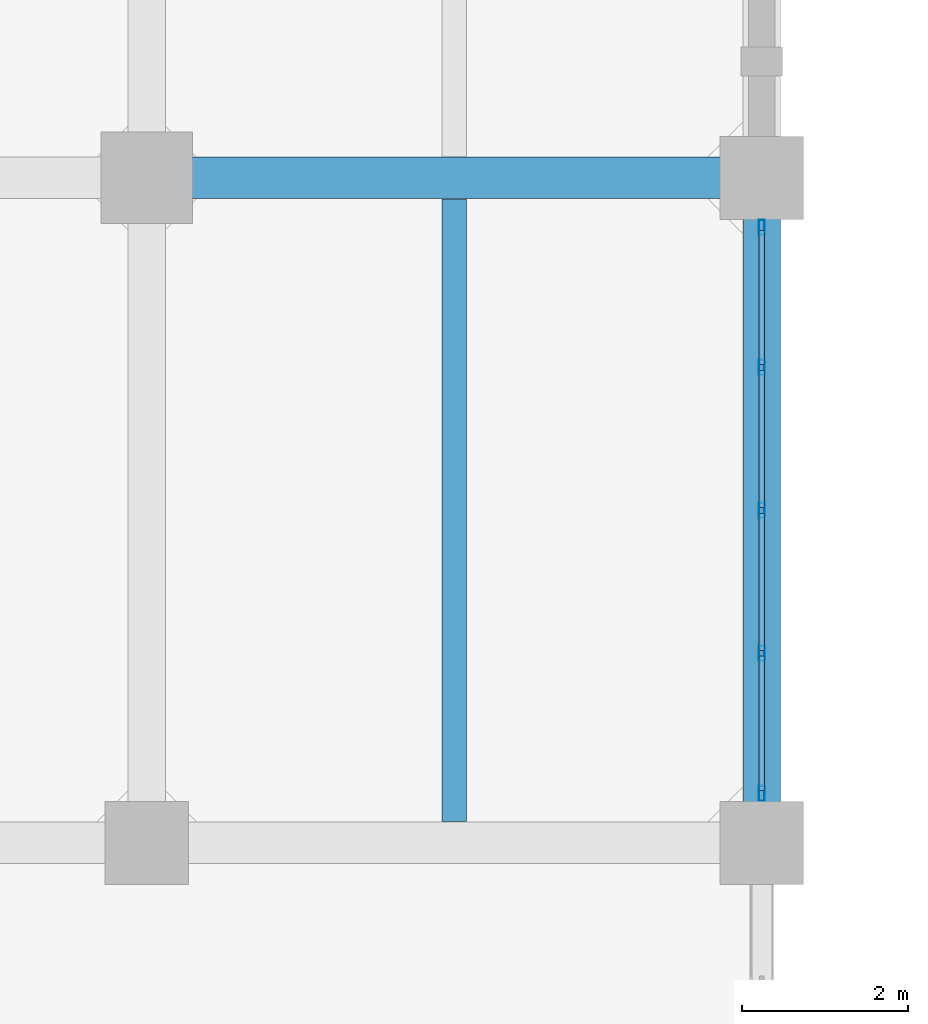
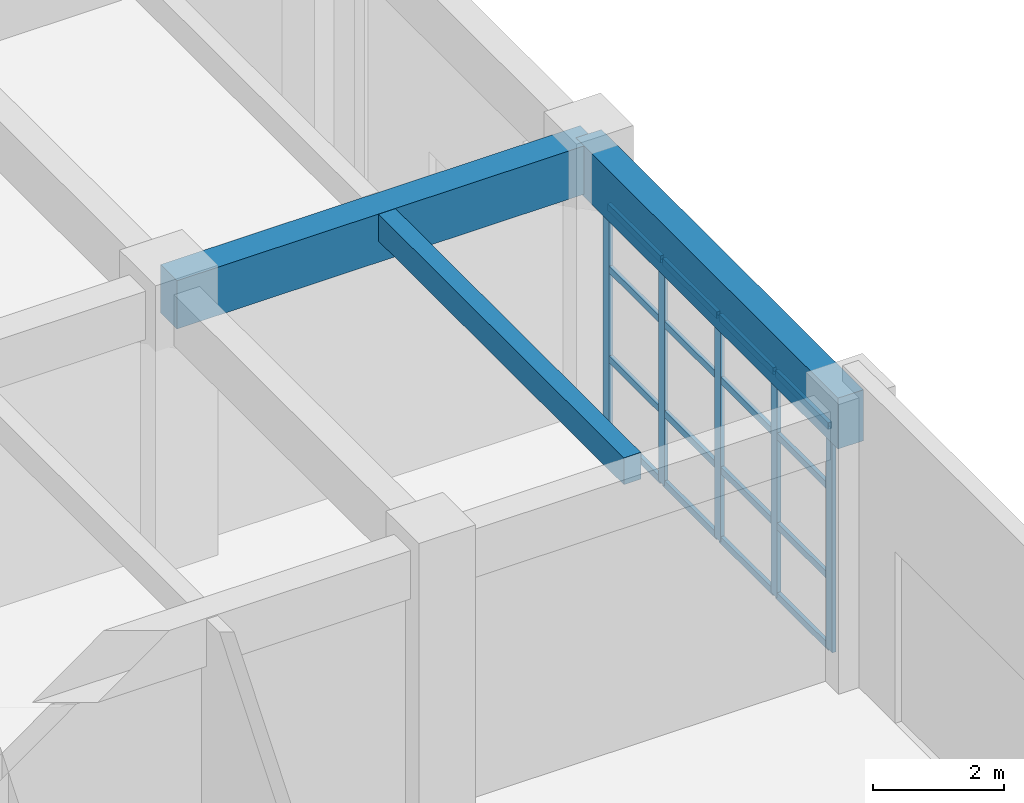
# One storey, part 54 of 90: 21 members, 3 beams, 1 element without a shape of its own.
"""IFC4 building model written with IfcOpenShell, lengths in metres."""

from ifc_helpers import new_model, si_unit, direction, frame, origin, origin_2d, place, context, subcontext, project, spatial, rectangle, hollow_rectangle, extrude, material, layer, layer_set, material_profile, profile_set, type_object, element, aggregate, save


model = new_model("IFC4")

# Units and contexts
model_context = context("Model", 3, precision=1e-05, world=origin(), true_north=direction((0.0, 1.0)))
body_context = subcontext(model_context, "Body", "Model", "MODEL_VIEW")
ifc_project = project(units=[si_unit("LENGTHUNIT", "METRE"), si_unit("AREAUNIT", "SQUARE_METRE"), si_unit("VOLUMEUNIT", "CUBIC_METRE"), si_unit("PLANEANGLEUNIT", "RADIAN"), si_unit("MASSUNIT", "GRAM", prefix="KILO")], contexts=[model_context])

# Site, building, storey
site_placement = place(None, origin())
site = spatial("IfcSite", under=ifc_project, at=site_placement, CompositionType="ELEMENT")
building_placement = place(site_placement, origin())
building = spatial("IfcBuilding", under=site, at=building_placement, Name="Canggui Botanical Conservatory", CompositionType="ELEMENT")
storey_placement = place(building_placement, origin())
storey = spatial("IfcBuildingStorey", under=building, at=storey_placement, Name="L01", CompositionType="ELEMENT", Elevation=0.0)

# Beams
ifc_material_1 = material(Name="Concrete C35", Category="concrete")
ifc_material_profile_1 = material_profile(ifc_material_1, rectangle(XDim=0.300048828125, YDim=0.5, at=origin_2d()), Name="RB 300x500")
ifc_profile_set_1 = profile_set([ifc_material_profile_1], Name="Concrete C35")
beam_type_1 = type_object("IfcBeamType", Name="BM-JST02", PredefinedType="JOIST", material=ifc_profile_set_1)
beam_1_placement = place(storey_placement, frame((173.699951171875, 26.2548828125, 4.8701171875), z_axis=(0.0, 1.0, 0.0), x_axis=(-1.0, 0.0, 0.0)))
element("IfcBeam", 1, at=beam_1_placement, inside=storey, type_object=beam_type_1, Name="Secondary Floor Joist L01-6-1", PredefinedType="JOIST", context=body_context, shape_type="SweptSolid", body=[
    extrude(rectangle(XDim=0.300048828125, YDim=0.5, at=origin_2d()), origin(), (0.0, 0.0, 1.0), 7.490234375),
])
ifc_material_profile_2 = material_profile(ifc_material_1, rectangle(XDim=0.5, YDim=0.89990234375, at=origin_2d()), Name="RB 500x900")
ifc_profile_set_2 = profile_set([ifc_material_profile_2], Name="Concrete C35")
beam_type_2 = type_object("IfcBeamType", Name="BM-KL03", PredefinedType="BEAM", material=ifc_profile_set_2)
beam_2_placement = place(storey_placement, frame((170.0, 34.0, 4.669921875), z_axis=(1.0, 0.0, 0.0), x_axis=(0.0, 1.0, 0.0)))
element("IfcBeam", 2, at=beam_2_placement, inside=storey, type_object=beam_type_2, Name="Frame Girder L01 Y34-6", PredefinedType="BEAM", context=body_context, shape_type="SweptSolid", body=[
    extrude(rectangle(XDim=0.5, YDim=0.89990234375, at=origin_2d()), origin(), (0.0, 0.0, 1.0), 7.39990234375),
])
ifc_material_profile_3 = material_profile(ifc_material_1, rectangle(XDim=0.449951171875, YDim=0.949951171875, at=origin_2d()), Name="RB 450x950")
ifc_profile_set_3 = profile_set([ifc_material_profile_3], Name="Concrete C35")
beam_type_3 = type_object("IfcBeamType", Name="BM-KL04", PredefinedType="BEAM", material=ifc_profile_set_3)
beam_3_placement = place(storey_placement, frame((177.39990234375, 26.0, 4.64501953125), z_axis=(0.0, 1.0, 0.0), x_axis=(-1.0, 0.0, 0.0)))
element("IfcBeam", 3, at=beam_3_placement, inside=storey, type_object=beam_type_3, Name="Frame Girder L01 X178-1", PredefinedType="BEAM", context=body_context, shape_type="SweptSolid", body=[
    extrude(rectangle(XDim=0.449951171875, YDim=0.949951171875, at=origin_2d()), origin(), (0.0, 0.0, 1.0), 8.0),
])

# Curtain wall, members
ifc_material_2 = material(Name="Thermally Broken Aluminium", Category="aluminium")
ifc_layer = layer(ifc_material_2, 0.179931640625, Name="Thermally Broken Aluminium", Category="aluminium")
ifc_layer_set = layer_set([ifc_layer], Name="Thermally Broken Aluminium")
curtain_wall_type = type_object("IfcCurtainWallType", Name="CW-UNIT-A", PredefinedType="USERDEFINED", material=ifc_layer_set)
curtain_wall_placement = place(storey_placement, origin())
curtain_wall = element("IfcCurtainWall", 4, at=curtain_wall_placement, inside=storey, type_object=curtain_wall_type, Name="Facade Curtain Wall CW-TWR-L01-21", ObjectType="UNITISED CURTAIN WALL", PredefinedType="USERDEFINED")
ifc_material_profile_4 = material_profile(ifc_material_2, hollow_rectangle(XDim=0.070068359375, YDim=0.179931640625, WallThickness=0.00390625, at=origin_2d()), Name="CWM 70x180x4")
ifc_profile_set_4 = profile_set([ifc_material_profile_4], Name="Thermally Broken Aluminium")
member_type_1 = type_object("IfcMemberType", Name="CWM-01", PredefinedType="MULLION", material=ifc_profile_set_4)
member_1_placement = place(storey_placement, frame((177.39990234375, 33.405029296875, 0.0), z_axis=(0.0, 0.0, 1.0), x_axis=(1.0, 0.0, 0.0)))
member_1 = element("IfcMember", 5, at=member_1_placement, type_object=member_type_1, Name="CW-01 mullion 1", PredefinedType="MULLION", context=body_context, shape_type="SweptSolid", body=[
    extrude(hollow_rectangle(XDim=0.070068359375, YDim=0.179931640625, WallThickness=0.00390625, at=origin_2d()), origin(), (0.0, 0.0, 1.0), 4.179931640625),
])
member_2_placement = place(storey_placement, frame((177.39990234375, 31.719970703125, 0.0), z_axis=(0.0, 0.0, 1.0), x_axis=(1.0, 0.0, 0.0)))
member_2 = element("IfcMember", 6, at=member_2_placement, type_object=member_type_1, Name="CW-01 mullion 2", PredefinedType="MULLION", context=body_context, shape_type="SweptSolid", body=[
    extrude(hollow_rectangle(XDim=0.070068359375, YDim=0.179931640625, WallThickness=0.00390625, at=origin_2d()), origin(), (0.0, 0.0, 1.0), 4.179931640625),
])
member_3_placement = place(storey_placement, frame((177.39990234375, 30.0, 0.0), z_axis=(0.0, 0.0, 1.0), x_axis=(1.0, 0.0, 0.0)))
member_3 = element("IfcMember", 7, at=member_3_placement, type_object=member_type_1, Name="CW-01 mullion 3", PredefinedType="MULLION", context=body_context, shape_type="SweptSolid", body=[
    extrude(hollow_rectangle(XDim=0.070068359375, YDim=0.179931640625, WallThickness=0.00390625, at=origin_2d()), origin(), (0.0, 0.0, 1.0), 4.179931640625),
])
member_4_placement = place(storey_placement, frame((177.39990234375, 28.280029296875, 0.0), z_axis=(0.0, 0.0, 1.0), x_axis=(1.0, 0.0, 0.0)))
member_4 = element("IfcMember", 8, at=member_4_placement, type_object=member_type_1, Name="CW-01 mullion 4", PredefinedType="MULLION", context=body_context, shape_type="SweptSolid", body=[
    extrude(hollow_rectangle(XDim=0.070068359375, YDim=0.179931640625, WallThickness=0.00390625, at=origin_2d()), origin(), (0.0, 0.0, 1.0), 4.179931640625),
])
member_5_placement = place(storey_placement, frame((177.39990234375, 26.594970703125, 0.0), z_axis=(0.0, 0.0, 1.0), x_axis=(1.0, 0.0, 0.0)))
member_5 = element("IfcMember", 9, at=member_5_placement, type_object=member_type_1, Name="CW-01 mullion 5", PredefinedType="MULLION", context=body_context, shape_type="SweptSolid", body=[
    extrude(hollow_rectangle(XDim=0.070068359375, YDim=0.179931640625, WallThickness=0.00390625, at=origin_2d()), origin(), (0.0, 0.0, 1.0), 4.179931640625),
])
ifc_material_profile_5 = material_profile(ifc_material_2, hollow_rectangle(XDim=0.06494140625, YDim=0.1298828125, WallThickness=0.00341796875, at=origin_2d()), Name="CWT 65x130x3.5")
ifc_profile_set_5 = profile_set([ifc_material_profile_5], Name="Thermally Broken Aluminium")
member_type_2 = type_object("IfcMemberType", Name="CWT-01", PredefinedType="USERDEFINED", material=ifc_profile_set_5)
member_6_placement = place(storey_placement, frame((177.39990234375, 33.3701171875, 0.032470703125), z_axis=(0.0, -1.0, 0.0), x_axis=(1.0, 0.0, 0.0)))
member_6 = element("IfcMember", 10, at=member_6_placement, type_object=member_type_2, Name="CW-01 transom 1.1", ObjectType="TRANSOM", PredefinedType="USERDEFINED", context=body_context, shape_type="SweptSolid", body=[
    extrude(hollow_rectangle(XDim=0.06494140625, YDim=0.1298828125, WallThickness=0.00341796875, at=origin_2d()), origin(), (0.0, 0.0, 1.0), 1.615234375),
])
member_7_placement = place(storey_placement, frame((177.39990234375, 33.3701171875, 1.337646484375), z_axis=(0.0, -1.0, 0.0), x_axis=(1.0, 0.0, 0.0)))
member_7 = element("IfcMember", 11, at=member_7_placement, type_object=member_type_2, Name="CW-01 transom 1.2", ObjectType="TRANSOM", PredefinedType="USERDEFINED", context=body_context, shape_type="SweptSolid", body=[
    extrude(hollow_rectangle(XDim=0.06494140625, YDim=0.1298828125, WallThickness=0.00341796875, at=origin_2d()), origin(), (0.0, 0.0, 1.0), 1.615234375),
])
member_8_placement = place(storey_placement, frame((177.39990234375, 33.3701171875, 3.009521484375), z_axis=(0.0, -1.0, 0.0), x_axis=(1.0, 0.0, 0.0)))
member_8 = element("IfcMember", 12, at=member_8_placement, type_object=member_type_2, Name="CW-01 transom 1.3", ObjectType="TRANSOM", PredefinedType="USERDEFINED", context=body_context, shape_type="SweptSolid", body=[
    extrude(hollow_rectangle(XDim=0.06494140625, YDim=0.1298828125, WallThickness=0.00341796875, at=origin_2d()), origin(), (0.0, 0.0, 1.0), 1.615234375),
])
member_9_placement = place(storey_placement, frame((177.39990234375, 33.3701171875, 4.1474609375), z_axis=(0.0, -1.0, 0.0), x_axis=(1.0, 0.0, 0.0)))
member_9 = element("IfcMember", 13, at=member_9_placement, type_object=member_type_2, Name="CW-01 transom 1.4", ObjectType="TRANSOM", PredefinedType="USERDEFINED", context=body_context, shape_type="SweptSolid", body=[
    extrude(hollow_rectangle(XDim=0.06494140625, YDim=0.1298828125, WallThickness=0.00341796875, at=origin_2d()), origin(), (0.0, 0.0, 1.0), 1.615234375),
])
member_10_placement = place(storey_placement, frame((177.39990234375, 31.68505859375, 0.032470703125), z_axis=(0.0, -1.0, 0.0), x_axis=(1.0, 0.0, 0.0)))
member_10 = element("IfcMember", 14, at=member_10_placement, type_object=member_type_2, Name="CW-01 transom 2.1", ObjectType="TRANSOM", PredefinedType="USERDEFINED", context=body_context, shape_type="SweptSolid", body=[
    extrude(hollow_rectangle(XDim=0.06494140625, YDim=0.1298828125, WallThickness=0.00341796875, at=origin_2d()), origin(), (0.0, 0.0, 1.0), 1.650146484375),
])
member_11_placement = place(storey_placement, frame((177.39990234375, 31.68505859375, 1.337646484375), z_axis=(0.0, -1.0, 0.0), x_axis=(1.0, 0.0, 0.0)))
member_11 = element("IfcMember", 15, at=member_11_placement, type_object=member_type_2, Name="CW-01 transom 2.2", ObjectType="TRANSOM", PredefinedType="USERDEFINED", context=body_context, shape_type="SweptSolid", body=[
    extrude(hollow_rectangle(XDim=0.06494140625, YDim=0.1298828125, WallThickness=0.00341796875, at=origin_2d()), origin(), (0.0, 0.0, 1.0), 1.650146484375),
])
member_12_placement = place(storey_placement, frame((177.39990234375, 31.68505859375, 3.009521484375), z_axis=(0.0, -1.0, 0.0), x_axis=(1.0, 0.0, 0.0)))
member_12 = element("IfcMember", 16, at=member_12_placement, type_object=member_type_2, Name="CW-01 transom 2.3", ObjectType="TRANSOM", PredefinedType="USERDEFINED", context=body_context, shape_type="SweptSolid", body=[
    extrude(hollow_rectangle(XDim=0.06494140625, YDim=0.1298828125, WallThickness=0.00341796875, at=origin_2d()), origin(), (0.0, 0.0, 1.0), 1.650146484375),
])
member_13_placement = place(storey_placement, frame((177.39990234375, 31.68505859375, 4.1474609375), z_axis=(0.0, -1.0, 0.0), x_axis=(1.0, 0.0, 0.0)))
member_13 = element("IfcMember", 17, at=member_13_placement, type_object=member_type_2, Name="CW-01 transom 2.4", ObjectType="TRANSOM", PredefinedType="USERDEFINED", context=body_context, shape_type="SweptSolid", body=[
    extrude(hollow_rectangle(XDim=0.06494140625, YDim=0.1298828125, WallThickness=0.00341796875, at=origin_2d()), origin(), (0.0, 0.0, 1.0), 1.650146484375),
])
member_14_placement = place(storey_placement, frame((177.39990234375, 29.965087890625, 0.032470703125), z_axis=(0.0, -1.0, 0.0), x_axis=(1.0, 0.0, 0.0)))
member_14 = element("IfcMember", 18, at=member_14_placement, type_object=member_type_2, Name="CW-01 transom 3.1", ObjectType="TRANSOM", PredefinedType="USERDEFINED", context=body_context, shape_type="SweptSolid", body=[
    extrude(hollow_rectangle(XDim=0.06494140625, YDim=0.1298828125, WallThickness=0.00341796875, at=origin_2d()), origin(), (0.0, 0.0, 1.0), 1.650146484375),
])
member_15_placement = place(storey_placement, frame((177.39990234375, 29.965087890625, 1.337646484375), z_axis=(0.0, -1.0, 0.0), x_axis=(1.0, 0.0, 0.0)))
member_15 = element("IfcMember", 19, at=member_15_placement, type_object=member_type_2, Name="CW-01 transom 3.2", ObjectType="TRANSOM", PredefinedType="USERDEFINED", context=body_context, shape_type="SweptSolid", body=[
    extrude(hollow_rectangle(XDim=0.06494140625, YDim=0.1298828125, WallThickness=0.00341796875, at=origin_2d()), origin(), (0.0, 0.0, 1.0), 1.650146484375),
])
member_16_placement = place(storey_placement, frame((177.39990234375, 29.965087890625, 3.009521484375), z_axis=(0.0, -1.0, 0.0), x_axis=(1.0, 0.0, 0.0)))
member_16 = element("IfcMember", 20, at=member_16_placement, type_object=member_type_2, Name="CW-01 transom 3.3", ObjectType="TRANSOM", PredefinedType="USERDEFINED", context=body_context, shape_type="SweptSolid", body=[
    extrude(hollow_rectangle(XDim=0.06494140625, YDim=0.1298828125, WallThickness=0.00341796875, at=origin_2d()), origin(), (0.0, 0.0, 1.0), 1.650146484375),
])
member_17_placement = place(storey_placement, frame((177.39990234375, 29.965087890625, 4.1474609375), z_axis=(0.0, -1.0, 0.0), x_axis=(1.0, 0.0, 0.0)))
member_17 = element("IfcMember", 21, at=member_17_placement, type_object=member_type_2, Name="CW-01 transom 3.4", ObjectType="TRANSOM", PredefinedType="USERDEFINED", context=body_context, shape_type="SweptSolid", body=[
    extrude(hollow_rectangle(XDim=0.06494140625, YDim=0.1298828125, WallThickness=0.00341796875, at=origin_2d()), origin(), (0.0, 0.0, 1.0), 1.650146484375),
])
member_18_placement = place(storey_placement, frame((177.39990234375, 28.2451171875, 0.032470703125), z_axis=(0.0, -1.0, 0.0), x_axis=(1.0, 0.0, 0.0)))
member_18 = element("IfcMember", 22, at=member_18_placement, type_object=member_type_2, Name="CW-01 transom 4.1", ObjectType="TRANSOM", PredefinedType="USERDEFINED", context=body_context, shape_type="SweptSolid", body=[
    extrude(hollow_rectangle(XDim=0.06494140625, YDim=0.1298828125, WallThickness=0.00341796875, at=origin_2d()), origin(), (0.0, 0.0, 1.0), 1.615234375),
])
member_19_placement = place(storey_placement, frame((177.39990234375, 28.2451171875, 1.337646484375), z_axis=(0.0, -1.0, 0.0), x_axis=(1.0, 0.0, 0.0)))
member_19 = element("IfcMember", 23, at=member_19_placement, type_object=member_type_2, Name="CW-01 transom 4.2", ObjectType="TRANSOM", PredefinedType="USERDEFINED", context=body_context, shape_type="SweptSolid", body=[
    extrude(hollow_rectangle(XDim=0.06494140625, YDim=0.1298828125, WallThickness=0.00341796875, at=origin_2d()), origin(), (0.0, 0.0, 1.0), 1.615234375),
])
member_20_placement = place(storey_placement, frame((177.39990234375, 28.2451171875, 3.009521484375), z_axis=(0.0, -1.0, 0.0), x_axis=(1.0, 0.0, 0.0)))
member_20 = element("IfcMember", 24, at=member_20_placement, type_object=member_type_2, Name="CW-01 transom 4.3", ObjectType="TRANSOM", PredefinedType="USERDEFINED", context=body_context, shape_type="SweptSolid", body=[
    extrude(hollow_rectangle(XDim=0.06494140625, YDim=0.1298828125, WallThickness=0.00341796875, at=origin_2d()), origin(), (0.0, 0.0, 1.0), 1.615234375),
])
member_21_placement = place(storey_placement, frame((177.39990234375, 28.2451171875, 4.1474609375), z_axis=(0.0, -1.0, 0.0), x_axis=(1.0, 0.0, 0.0)))
member_21 = element("IfcMember", 25, at=member_21_placement, type_object=member_type_2, Name="CW-01 transom 4.4", ObjectType="TRANSOM", PredefinedType="USERDEFINED", context=body_context, shape_type="SweptSolid", body=[
    extrude(hollow_rectangle(XDim=0.06494140625, YDim=0.1298828125, WallThickness=0.00341796875, at=origin_2d()), origin(), (0.0, 0.0, 1.0), 1.615234375),
])
aggregate(curtain_wall, [member_1, member_2, member_3, member_4, member_5, member_6, member_7, member_8, member_9, member_10, member_11, member_12, member_13, member_14, member_15, member_16, member_17, member_18, member_19, member_20, member_21])

save(model, "model.ifc")
